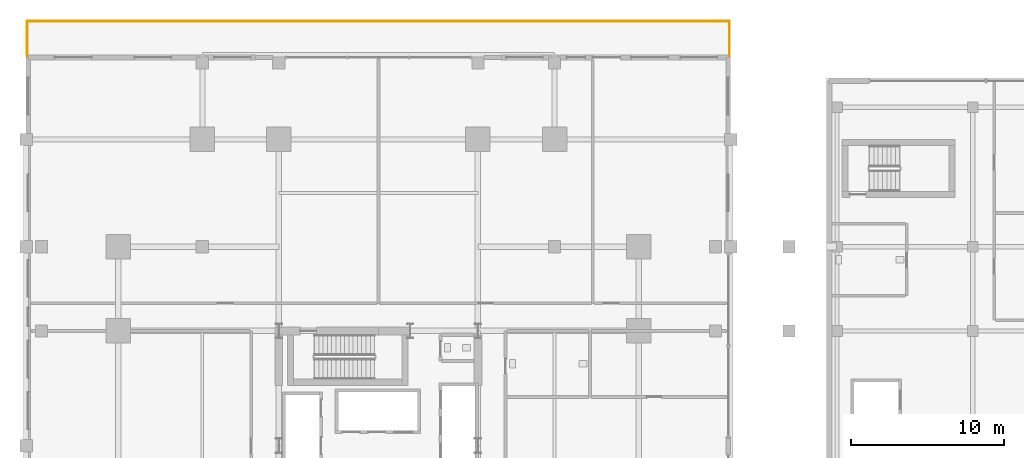
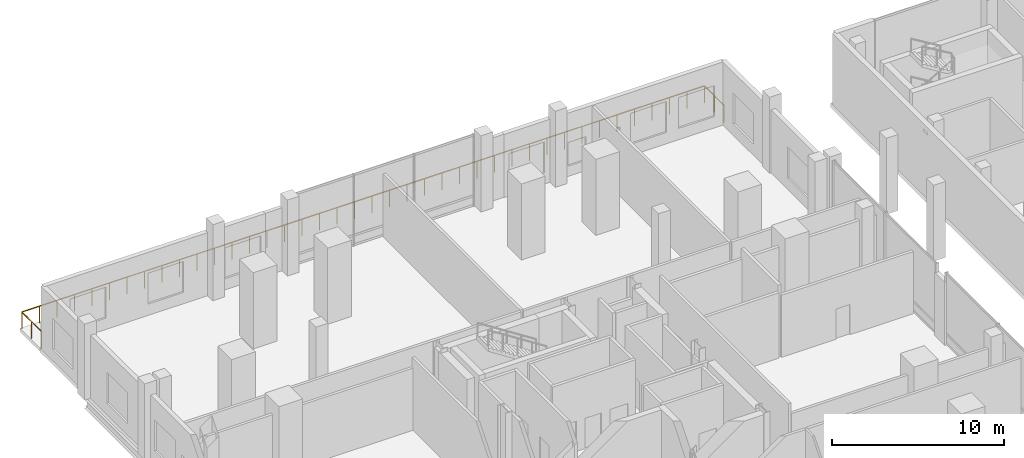
# One storey, part 30 of 32: 1 railing.
"""IFC4 building model written with IfcOpenShell, lengths in metres."""

from ifc_helpers import new_model, si_unit, direction, frame, origin, origin_2d, place, context, subcontext, project, spatial, circle, extrude, material, type_object, element, save


model = new_model("IFC4")

# Units and contexts
model_context = context("Model", 3, precision=1e-05, world=origin(), true_north=direction((0.0, 1.0)))
body_context = subcontext(model_context, "Body", "Model", "MODEL_VIEW")
ifc_project = project(units=[si_unit("LENGTHUNIT", "METRE"), si_unit("AREAUNIT", "SQUARE_METRE"), si_unit("VOLUMEUNIT", "CUBIC_METRE"), si_unit("PLANEANGLEUNIT", "RADIAN"), si_unit("MASSUNIT", "GRAM", prefix="KILO")], contexts=[model_context])

# Site, building, storey
site_placement = place(None, origin())
site = spatial("IfcSite", under=ifc_project, at=site_placement, CompositionType="ELEMENT")
building_placement = place(site_placement, origin())
building = spatial("IfcBuilding", under=site, at=building_placement, Name="Barlavira Tower and Art Museum", CompositionType="ELEMENT")
storey_placement = place(building_placement, frame((0.0, 0.0, 6.0)))
storey = spatial("IfcBuildingStorey", under=building, at=storey_placement, Name="L01", CompositionType="ELEMENT", Elevation=6.0)

# Railing
ifc_material = material(Name="Laminated safety glass and stainless steel", Category="steel")
railing_type = type_object("IfcRailingType", Name="Terrace and Wind-Floor Laminated Glass Balustrade 1200", PredefinedType="BALUSTRADE", material=ifc_material)
railing_placement = place(storey_placement, frame((-22.919921875, 25.449951171875, 0.0)))
element("IfcRailing", 1, at=railing_placement, inside=storey, type_object=railing_type, Name="L01 North Cascade Terrace Balustrade", PredefinedType="BALUSTRADE", context=body_context, shape_type="SweptSolid", body=[
    extrude(circle(Radius=0.02392578125, at=origin_2d()), frame((0.0, 0.0, 1.17578125), z_axis=(0.0, 1.0, 0.0), x_axis=(-1.0, 0.0, 0.0)), (0.0, 0.0, 1.0), 2.27001953125),
    extrude(circle(Radius=0.02392578125, at=origin_2d()), frame((0.0, 2.27001953125, 1.17578125), z_axis=(1.0, 0.0, 0.0), x_axis=(0.0, 1.0, 0.0)), (0.0, 0.0, 1.0), 45.83984375),
    extrude(circle(Radius=0.02392578125, at=origin_2d()), frame((45.83984375, 2.27001953125, 1.17578125), z_axis=(0.0, -1.0, 0.0), x_axis=(1.0, 0.0, 0.0)), (0.0, 0.0, 1.0), 2.27001953125),
    extrude(circle(Radius=0.02099609375, at=origin_2d()), origin(), (0.0, 0.0, 1.0), 1.15185546875),
    extrude(circle(Radius=0.02099609375, at=origin_2d()), frame((0.0, 1.135009765625, 0.0)), (0.0, 0.0, 1.0), 1.15185546875),
    extrude(circle(Radius=0.02099609375, at=origin_2d()), frame((0.0, 2.27001953125, 0.0)), (0.0, 0.0, 1.0), 1.15185546875),
    extrude(circle(Radius=0.02099609375, at=origin_2d()), frame((1.17529296875, 2.27001953125, 0.0)), (0.0, 0.0, 1.0), 1.15185546875),
    extrude(circle(Radius=0.02099609375, at=origin_2d()), frame((2.350830078125, 2.27001953125, 0.0)), (0.0, 0.0, 1.0), 1.15185546875),
    extrude(circle(Radius=0.02099609375, at=origin_2d()), frame((3.526123046875, 2.27001953125, 0.0)), (0.0, 0.0, 1.0), 1.15185546875),
    extrude(circle(Radius=0.02099609375, at=origin_2d()), frame((4.701416015625, 2.27001953125, 0.0)), (0.0, 0.0, 1.0), 1.15185546875),
    extrude(circle(Radius=0.02099609375, at=origin_2d()), frame((5.876953125, 2.27001953125, 0.0)), (0.0, 0.0, 1.0), 1.15185546875),
    extrude(circle(Radius=0.02099609375, at=origin_2d()), frame((7.05224609375, 2.27001953125, 0.0)), (0.0, 0.0, 1.0), 1.15185546875),
    extrude(circle(Radius=0.02099609375, at=origin_2d()), frame((8.227783203125, 2.27001953125, 0.0)), (0.0, 0.0, 1.0), 1.15185546875),
    extrude(circle(Radius=0.02099609375, at=origin_2d()), frame((9.403076171875, 2.27001953125, 0.0)), (0.0, 0.0, 1.0), 1.15185546875),
    extrude(circle(Radius=0.02099609375, at=origin_2d()), frame((10.578369140625, 2.27001953125, 0.0)), (0.0, 0.0, 1.0), 1.15185546875),
    extrude(circle(Radius=0.02099609375, at=origin_2d()), frame((11.75390625, 2.27001953125, 0.0)), (0.0, 0.0, 1.0), 1.15185546875),
    extrude(circle(Radius=0.02099609375, at=origin_2d()), frame((12.92919921875, 2.27001953125, 0.0)), (0.0, 0.0, 1.0), 1.15185546875),
    extrude(circle(Radius=0.02099609375, at=origin_2d()), frame((14.1044921875, 2.27001953125, 0.0)), (0.0, 0.0, 1.0), 1.15185546875),
    extrude(circle(Radius=0.02099609375, at=origin_2d()), frame((15.280029296875, 2.27001953125, 0.0)), (0.0, 0.0, 1.0), 1.15185546875),
    extrude(circle(Radius=0.02099609375, at=origin_2d()), frame((16.455322265625, 2.27001953125, 0.0)), (0.0, 0.0, 1.0), 1.15185546875),
    extrude(circle(Radius=0.02099609375, at=origin_2d()), frame((17.630615234375, 2.27001953125, 0.0)), (0.0, 0.0, 1.0), 1.15185546875),
    extrude(circle(Radius=0.02099609375, at=origin_2d()), frame((18.80615234375, 2.27001953125, 0.0)), (0.0, 0.0, 1.0), 1.15185546875),
    extrude(circle(Radius=0.02099609375, at=origin_2d()), frame((19.9814453125, 2.27001953125, 0.0)), (0.0, 0.0, 1.0), 1.15185546875),
    extrude(circle(Radius=0.02099609375, at=origin_2d()), frame((21.15673828125, 2.27001953125, 0.0)), (0.0, 0.0, 1.0), 1.15185546875),
    extrude(circle(Radius=0.02099609375, at=origin_2d()), frame((22.332275390625, 2.27001953125, 0.0)), (0.0, 0.0, 1.0), 1.15185546875),
    extrude(circle(Radius=0.02099609375, at=origin_2d()), frame((23.507568359375, 2.27001953125, 0.0)), (0.0, 0.0, 1.0), 1.15185546875),
    extrude(circle(Radius=0.02099609375, at=origin_2d()), frame((24.68310546875, 2.27001953125, 0.0)), (0.0, 0.0, 1.0), 1.15185546875),
    extrude(circle(Radius=0.02099609375, at=origin_2d()), frame((25.8583984375, 2.27001953125, 0.0)), (0.0, 0.0, 1.0), 1.15185546875),
    extrude(circle(Radius=0.02099609375, at=origin_2d()), frame((27.03369140625, 2.27001953125, 0.0)), (0.0, 0.0, 1.0), 1.15185546875),
    extrude(circle(Radius=0.02099609375, at=origin_2d()), frame((28.209228515625, 2.27001953125, 0.0)), (0.0, 0.0, 1.0), 1.15185546875),
    extrude(circle(Radius=0.02099609375, at=origin_2d()), frame((29.384521484375, 2.27001953125, 0.0)), (0.0, 0.0, 1.0), 1.15185546875),
    extrude(circle(Radius=0.02099609375, at=origin_2d()), frame((30.559814453125, 2.27001953125, 0.0)), (0.0, 0.0, 1.0), 1.15185546875),
    extrude(circle(Radius=0.02099609375, at=origin_2d()), frame((31.7353515625, 2.27001953125, 0.0)), (0.0, 0.0, 1.0), 1.15185546875),
    extrude(circle(Radius=0.02099609375, at=origin_2d()), frame((32.91064453125, 2.27001953125, 0.0)), (0.0, 0.0, 1.0), 1.15185546875),
    extrude(circle(Radius=0.02099609375, at=origin_2d()), frame((34.0859375, 2.27001953125, 0.0)), (0.0, 0.0, 1.0), 1.15185546875),
    extrude(circle(Radius=0.02099609375, at=origin_2d()), frame((35.261474609375, 2.27001953125, 0.0)), (0.0, 0.0, 1.0), 1.15185546875),
    extrude(circle(Radius=0.02099609375, at=origin_2d()), frame((36.436767578125, 2.27001953125, 0.0)), (0.0, 0.0, 1.0), 1.15185546875),
    extrude(circle(Radius=0.02099609375, at=origin_2d()), frame((37.612060546875, 2.27001953125, 0.0)), (0.0, 0.0, 1.0), 1.15185546875),
    extrude(circle(Radius=0.02099609375, at=origin_2d()), frame((38.78759765625, 2.27001953125, 0.0)), (0.0, 0.0, 1.0), 1.15185546875),
    extrude(circle(Radius=0.02099609375, at=origin_2d()), frame((39.962890625, 2.27001953125, 0.0)), (0.0, 0.0, 1.0), 1.15185546875),
    extrude(circle(Radius=0.02099609375, at=origin_2d()), frame((41.138427734375, 2.27001953125, 0.0)), (0.0, 0.0, 1.0), 1.15185546875),
    extrude(circle(Radius=0.02099609375, at=origin_2d()), frame((42.313720703125, 2.27001953125, 0.0)), (0.0, 0.0, 1.0), 1.15185546875),
    extrude(circle(Radius=0.02099609375, at=origin_2d()), frame((43.489013671875, 2.27001953125, 0.0)), (0.0, 0.0, 1.0), 1.15185546875),
    extrude(circle(Radius=0.02099609375, at=origin_2d()), frame((44.66455078125, 2.27001953125, 0.0)), (0.0, 0.0, 1.0), 1.15185546875),
    extrude(circle(Radius=0.02099609375, at=origin_2d()), frame((45.83984375, 2.27001953125, 0.0)), (0.0, 0.0, 1.0), 1.15185546875),
    extrude(circle(Radius=0.02099609375, at=origin_2d()), frame((45.83984375, 1.135009765625, 0.0)), (0.0, 0.0, 1.0), 1.15185546875),
    extrude(circle(Radius=0.02099609375, at=origin_2d()), frame((45.83984375, 0.0, 0.0)), (0.0, 0.0, 1.0), 1.15185546875),
])

save(model, "model.ifc")
